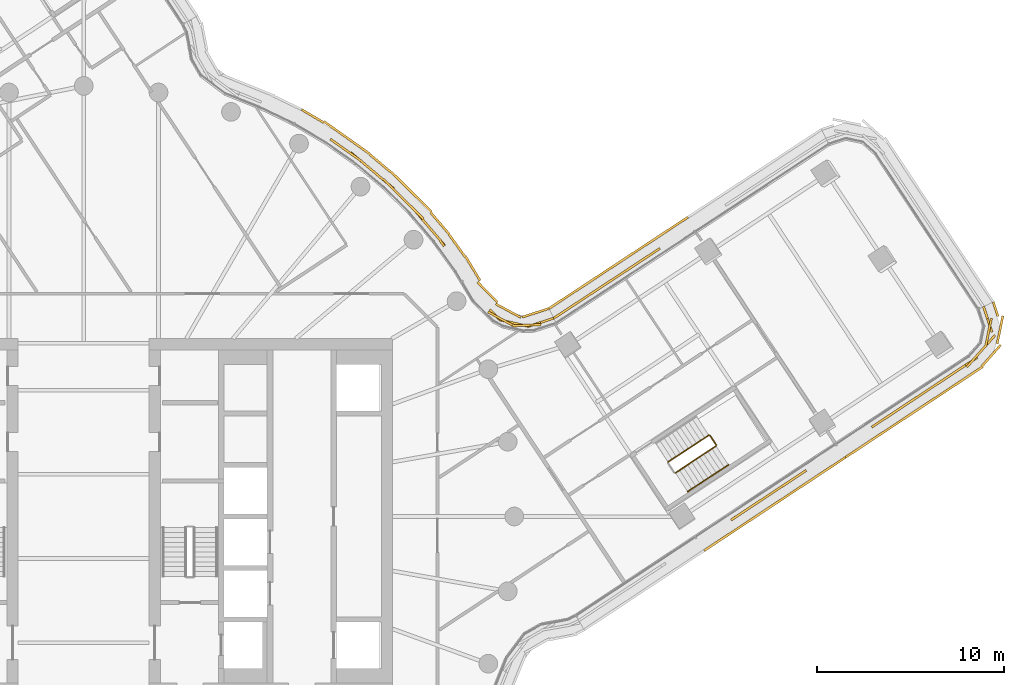
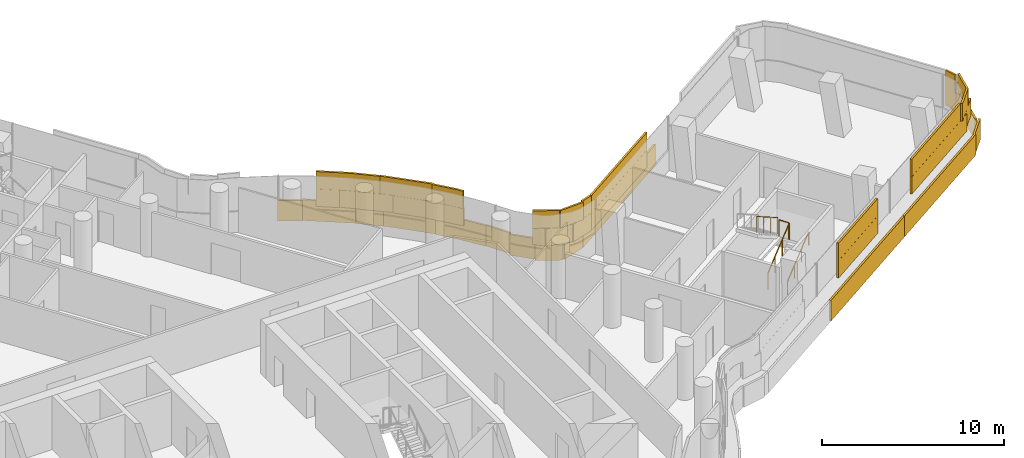
# One storey, part 33 of 35: 4 coverings, 4 railings.
"""IFC4 building model written with IfcOpenShell, lengths in metres."""

from ifc_helpers import new_model, si_unit, direction, frame, origin, origin_2d, place, context, subcontext, project, spatial, rectangle, circle, extrude, material, layer, layer_set, type_object, element, save


model = new_model("IFC4")

# Units and contexts
model_context = context("Model", 3, precision=1e-05, world=origin(), true_north=direction((0.0, 1.0)))
body_context = subcontext(model_context, "Body", "Model", "MODEL_VIEW")
ifc_project = project(units=[si_unit("LENGTHUNIT", "METRE"), si_unit("AREAUNIT", "SQUARE_METRE"), si_unit("VOLUMEUNIT", "CUBIC_METRE"), si_unit("PLANEANGLEUNIT", "RADIAN"), si_unit("MASSUNIT", "GRAM", prefix="KILO")], contexts=[model_context])

# Site, building, storey
site_placement = place(None, origin())
site = spatial("IfcSite", under=ifc_project, at=site_placement, CompositionType="ELEMENT")
building_placement = place(site_placement, origin())
building = spatial("IfcBuilding", under=site, at=building_placement, Name="Tamarind Cross Interchange Tower", CompositionType="ELEMENT")
storey_placement = place(building_placement, frame((0.0, 0.0, 155.5)))
storey = spatial("IfcBuildingStorey", under=building, at=storey_placement, Name="L38", CompositionType="ELEMENT", Elevation=155.5)

# Railings
ifc_material_1 = material(Name="Stair guard")
railing_type_1 = type_object("IfcRailingType", Name="Stair guard", PredefinedType="GUARDRAIL", material=ifc_material_1)
railing_1_placement = place(storey_placement, frame((31.60693359375, 2.328369140625, 0.17041015625)))
element("IfcRailing", 1, at=railing_1_placement, inside=storey, type_object=railing_type_1, Name="L38 ST3 stair guard 1", PredefinedType="GUARDRAIL", context=body_context, shape_type="SweptSolid", body=[
    extrude(circle(Radius=0.02392578125, at=origin_2d()), frame((0.0, 0.0, 1.076171875), z_axis=(0.697883001137, 0.460805384345, 0.548286161127), x_axis=(-0.551010951967, 0.834498011269, 0.0)), (0.0, 0.0, 1.0), 3.10888671875),
    extrude(circle(Radius=0.02099609375, at=origin_2d()), origin(), (0.0, 0.0, 1.0), 1.052001953125),
    extrude(circle(Radius=0.02099609375, at=origin_2d()), frame((0.72314453125, 0.4775390625, 0.568115234375)), (0.0, 0.0, 1.0), 1.052001953125),
    extrude(circle(Radius=0.02099609375, at=origin_2d()), frame((1.446533203125, 0.955078125, 1.136474609375)), (0.0, 0.0, 1.0), 1.052001953125),
    extrude(circle(Radius=0.02099609375, at=origin_2d()), frame((2.169677734375, 1.4326171875, 1.70458984375)), (0.0, 0.0, 1.0), 1.052001953125),
])
railing_2_placement = place(storey_placement, frame((33.790771484375, 3.830078125, 1.875)))
element("IfcRailing", 2, at=railing_2_placement, inside=storey, type_object=railing_type_1, Name="L38 ST3 stair guard 2", PredefinedType="GUARDRAIL", context=body_context, shape_type="SweptSolid", body=[
    extrude(circle(Radius=0.02392578125, at=origin_2d()), frame((0.0, 0.0, 1.076171875), z_axis=(-0.550938572023, 0.834545798538, 0.0), x_axis=(-0.834545798538, -0.550938572023, 0.0)), (0.0, 0.0, 1.0), 0.60009765625),
    extrude(circle(Radius=0.02099609375, at=origin_2d()), origin(), (0.0, 0.0, 1.0), 1.052001953125),
    extrude(circle(Radius=0.02099609375, at=origin_2d()), frame((-0.33056640625, 0.500732421875, 0.0)), (0.0, 0.0, 1.0), 1.052001953125),
])
railing_3_placement = place(storey_placement, frame((33.390869140625, 4.344970703125, 2.04541015625)))
element("IfcRailing", 3, at=railing_3_placement, inside=storey, type_object=railing_type_1, Name="L38 ST3 stair guard 3", PredefinedType="GUARDRAIL", context=body_context, shape_type="SweptSolid", body=[
    extrude(circle(Radius=0.02392578125, at=origin_2d()), frame((0.0, 0.0, 1.076171875), z_axis=(-0.697908254206, -0.460743527335, 0.548306000998), x_axis=(0.550945555476, -0.834541188259, 0.0)), (0.0, 0.0, 1.0), 3.10888671875),
    extrude(circle(Radius=0.02099609375, at=origin_2d()), origin(), (0.0, 0.0, 1.0), 1.052001953125),
    extrude(circle(Radius=0.02099609375, at=origin_2d()), frame((-0.72314453125, -0.4775390625, 0.568115234375)), (0.0, 0.0, 1.0), 1.052001953125),
    extrude(circle(Radius=0.02099609375, at=origin_2d()), frame((-1.446533203125, -0.954833984375, 1.136474609375)), (0.0, 0.0, 1.0), 1.052001953125),
    extrude(circle(Radius=0.02099609375, at=origin_2d()), frame((-2.169677734375, -1.432373046875, 1.70458984375)), (0.0, 0.0, 1.0), 1.052001953125),
])
ifc_material_2 = material(Name="Stair handrail")
railing_type_2 = type_object("IfcRailingType", Name="Stair handrail", PredefinedType="HANDRAIL", material=ifc_material_2)
railing_4_placement = place(storey_placement, frame((32.26806640625, 1.326904296875, 0.17041015625)))
element("IfcRailing", 4, at=railing_4_placement, inside=storey, type_object=railing_type_2, Name="L38 ST3 stair handrail 1", PredefinedType="HANDRAIL", context=body_context, shape_type="SweptSolid", body=[
    extrude(circle(Radius=0.02392578125, at=origin_2d()), frame((0.0, 0.0, 0.8759765625), z_axis=(0.697883001137, 0.460805384345, 0.548286161127), x_axis=(-0.551010951967, 0.834498011269, 0.0)), (0.0, 0.0, 1.0), 3.10888671875),
    extrude(circle(Radius=0.02099609375, at=origin_2d()), origin(), (0.0, 0.0, 1.0), 0.851806640625),
    extrude(circle(Radius=0.02099609375, at=origin_2d()), frame((0.72314453125, 0.4775390625, 0.568115234375)), (0.0, 0.0, 1.0), 0.851806640625),
    extrude(circle(Radius=0.02099609375, at=origin_2d()), frame((1.446533203125, 0.955078125, 1.136474609375)), (0.0, 0.0, 1.0), 0.851806640625),
    extrude(circle(Radius=0.02099609375, at=origin_2d()), frame((2.169677734375, 1.4326171875, 1.70458984375)), (0.0, 0.0, 1.0), 0.851806640625),
])

# Coverings
ifc_material_3 = material(Name="Terracotta", Category="masonry")
ifc_layer = layer(ifc_material_3, 0.1201171875)
ifc_layer_set = layer_set([ifc_layer], Name="Terracotta")
covering_type = type_object("IfcCoveringType", Name="Terracotta baguette screen unit", PredefinedType="MOLDING", material=ifc_layer_set)
covering_1_placement = place(storey_placement, origin())
element("IfcCovering", 5, at=covering_1_placement, inside=storey, type_object=covering_type, Name="SCR-L38-11-01", PredefinedType="MOLDING", context=body_context, shape_type="SweptSolid", body=[
    extrude(rectangle(XDim=0.762939453125, YDim=0.1201171875, at=origin_2d()), frame((34.899169921875, 0.0205078125, 1.404052734375), z_axis=(0.0, 0.0, 1.0), x_axis=(0.834524900963, 0.550970225759, 0.0)), (0.0, 0.0, 1.0), 1.1669921875),
    extrude(rectangle(XDim=1.52001953125, YDim=0.1201171875, at=origin_2d()), frame((35.839111328125, 0.64111328125, 1.404052734375), z_axis=(0.0, 0.0, 1.0), x_axis=(0.834524900963, 0.550970225759, 0.0)), (0.0, 0.0, 1.0), 1.1669921875),
    extrude(rectangle(XDim=1.52001953125, YDim=0.1201171875, at=origin_2d()), frame((37.091064453125, 1.467529296875, 1.404052734375), z_axis=(0.0, 0.0, 1.0), x_axis=(0.834524900963, 0.550970225759, 0.0)), (0.0, 0.0, 1.0), 1.1669921875),
    extrude(rectangle(XDim=1.0634765625, YDim=0.1201171875, at=origin_2d()), frame((38.156494140625, 2.1708984375, 1.404052734375), z_axis=(0.0, 0.0, 1.0), x_axis=(0.834524900963, 0.550970225759, 0.0)), (0.0, 0.0, 1.0), 1.1669921875),
    extrude(rectangle(XDim=1.52001953125, YDim=0.1201171875, at=origin_2d()), frame((35.21337890625, 0.227783203125, 2.5791015625), z_axis=(0.0, 0.0, 1.0), x_axis=(0.834524900963, 0.550970225759, 0.0)), (0.0, 0.0, 1.0), 1.1669921875),
    extrude(rectangle(XDim=1.52001953125, YDim=0.1201171875, at=origin_2d()), frame((36.465087890625, 1.05419921875, 2.5791015625), z_axis=(0.0, 0.0, 1.0), x_axis=(0.834524900963, 0.550970225759, 0.0)), (0.0, 0.0, 1.0), 1.1669921875),
    extrude(rectangle(XDim=1.52001953125, YDim=0.1201171875, at=origin_2d()), frame((37.716796875, 1.880859375, 2.5791015625), z_axis=(0.0, 0.0, 1.0), x_axis=(0.834524900963, 0.550970225759, 0.0)), (0.0, 0.0, 1.0), 1.1669921875),
    extrude(rectangle(XDim=0.3134765625, YDim=0.1201171875, at=origin_2d()), frame((38.469482421875, 2.377685546875, 2.5791015625), z_axis=(0.0, 0.0, 1.0), x_axis=(0.834524900963, 0.550970225759, 0.0)), (0.0, 0.0, 1.0), 1.1669921875),
    extrude(rectangle(XDim=1.32861328125, YDim=0.1201171875, at=origin_2d()), frame((33.700439453125, -1.458740234375, 0.00390625), z_axis=(0.0, 0.0, 1.0), x_axis=(0.834524900963, 0.550970225759, 0.0)), (0.0, 0.0, 1.0), 1.39208984375),
    extrude(rectangle(XDim=1.52001953125, YDim=0.1201171875, at=origin_2d()), frame((34.872314453125, -0.68505859375, 0.00390625), z_axis=(0.0, 0.0, 1.0), x_axis=(0.834524900963, 0.550970225759, 0.0)), (0.0, 0.0, 1.0), 1.39208984375),
    extrude(rectangle(XDim=1.52001953125, YDim=0.1201171875, at=origin_2d()), frame((36.1240234375, 0.141357421875, 0.00390625), z_axis=(0.0, 0.0, 1.0), x_axis=(0.834524900963, 0.550970225759, 0.0)), (0.0, 0.0, 1.0), 1.39208984375),
    extrude(rectangle(XDim=1.52001953125, YDim=0.1201171875, at=origin_2d()), frame((37.375732421875, 0.9677734375, 0.00390625), z_axis=(0.0, 0.0, 1.0), x_axis=(0.834524900963, 0.550970225759, 0.0)), (0.0, 0.0, 1.0), 1.39208984375),
    extrude(rectangle(XDim=1.52001953125, YDim=0.1201171875, at=origin_2d()), frame((38.627685546875, 1.794189453125, 0.00390625), z_axis=(0.0, 0.0, 1.0), x_axis=(0.834524900963, 0.550970225759, 0.0)), (0.0, 0.0, 1.0), 1.39208984375),
    extrude(rectangle(XDim=1.52001953125, YDim=0.1201171875, at=origin_2d()), frame((39.87939453125, 2.62060546875, 0.00390625), z_axis=(0.0, 0.0, 1.0), x_axis=(0.834524900963, 0.550970225759, 0.0)), (0.0, 0.0, 1.0), 1.39208984375),
    extrude(rectangle(XDim=0.23828125, YDim=0.1201171875, at=origin_2d()), frame((40.596435546875, 3.093994140625, 0.00390625), z_axis=(0.0, 0.0, 1.0), x_axis=(0.834524900963, 0.550970225759, 0.0)), (0.0, 0.0, 1.0), 1.39208984375),
])
covering_2_placement = place(storey_placement, origin())
element("IfcCovering", 6, at=covering_2_placement, inside=storey, type_object=covering_type, Name="SCR-L38-11-02", PredefinedType="MOLDING", context=body_context, shape_type="SweptSolid", body=[
    extrude(rectangle(XDim=0.756591796875, YDim=0.1201171875, at=origin_2d()), frame((42.41259765625, 4.98095703125, 1.404052734375), z_axis=(0.0, 0.0, 1.0), x_axis=(0.834524900963, 0.550970225759, 0.0)), (0.0, 0.0, 1.0), 1.1669921875),
    extrude(rectangle(XDim=1.52001953125, YDim=0.1201171875, at=origin_2d()), frame((43.349853515625, 5.599853515625, 1.404052734375), z_axis=(0.0, 0.0, 1.0), x_axis=(0.834524900963, 0.550970225759, 0.0)), (0.0, 0.0, 1.0), 1.1669921875),
    extrude(rectangle(XDim=1.52001953125, YDim=0.1201171875, at=origin_2d()), frame((44.601806640625, 6.42626953125, 1.404052734375), z_axis=(0.0, 0.0, 1.0), x_axis=(0.834524900963, 0.550970225759, 0.0)), (0.0, 0.0, 1.0), 1.1669921875),
    extrude(rectangle(XDim=1.52001953125, YDim=0.1201171875, at=origin_2d()), frame((45.853515625, 7.252685546875, 1.404052734375), z_axis=(0.0, 0.0, 1.0), x_axis=(0.834524900963, 0.550970225759, 0.0)), (0.0, 0.0, 1.0), 1.1669921875),
    extrude(rectangle(XDim=1.52001953125, YDim=0.1201171875, at=origin_2d()), frame((47.105224609375, 8.0791015625, 1.404052734375), z_axis=(0.0, 0.0, 1.0), x_axis=(0.834524900963, 0.550970225759, 0.0)), (0.0, 0.0, 1.0), 1.1669921875),
    extrude(rectangle(XDim=1.52001953125, YDim=0.1201171875, at=origin_2d()), frame((48.17724609375, 9.11279296875, 1.404052734375), z_axis=(0.0, 0.0, 1.0), x_axis=(0.663487566811, 0.748187308558, 0.0)), (0.0, 0.0, 1.0), 1.1669921875),
    extrude(rectangle(XDim=1.435302734375, YDim=0.1201171875, at=origin_2d()), frame((48.294677734375, 10.52978515625, 1.404052734375), z_axis=(0.0, 0.0, 1.0), x_axis=(-0.316205432595, 0.948690742232, 0.0)), (0.0, 0.0, 1.0), 1.1669921875),
    extrude(rectangle(XDim=1.506591796875, YDim=0.1201171875, at=origin_2d()), frame((42.7255859375, 5.1875, 2.5791015625), z_axis=(0.0, 0.0, 1.0), x_axis=(0.834524900963, 0.550970225759, 0.0)), (0.0, 0.0, 1.0), 1.1669921875),
    extrude(rectangle(XDim=1.52001953125, YDim=0.1201171875, at=origin_2d()), frame((43.975830078125, 6.012939453125, 2.5791015625), z_axis=(0.0, 0.0, 1.0), x_axis=(0.834524900963, 0.550970225759, 0.0)), (0.0, 0.0, 1.0), 1.1669921875),
    extrude(rectangle(XDim=1.52001953125, YDim=0.1201171875, at=origin_2d()), frame((45.2275390625, 6.839599609375, 2.5791015625), z_axis=(0.0, 0.0, 1.0), x_axis=(0.834524900963, 0.550970225759, 0.0)), (0.0, 0.0, 1.0), 1.1669921875),
    extrude(rectangle(XDim=1.52001953125, YDim=0.1201171875, at=origin_2d()), frame((46.4794921875, 7.666015625, 2.5791015625), z_axis=(0.0, 0.0, 1.0), x_axis=(0.834524900963, 0.550970225759, 0.0)), (0.0, 0.0, 1.0), 1.1669921875),
    extrude(rectangle(XDim=1.52001953125, YDim=0.1201171875, at=origin_2d()), frame((47.6796875, 8.5517578125, 2.5791015625), z_axis=(0.0, 0.0, 1.0), x_axis=(0.663487566811, 0.748187308558, 0.0)), (0.0, 0.0, 1.0), 1.1669921875),
    extrude(rectangle(XDim=1.52001953125, YDim=0.1201171875, at=origin_2d()), frame((48.337158203125, 9.8427734375, 2.5791015625), z_axis=(0.0, 0.0, 1.0), x_axis=(0.200503433674, 0.979692999406, 0.0)), (0.0, 0.0, 1.0), 1.1669921875),
    extrude(rectangle(XDim=0.685302734375, YDim=0.1201171875, at=origin_2d()), frame((48.17626953125, 10.8857421875, 2.5791015625), z_axis=(0.0, 0.0, 1.0), x_axis=(-0.316205432595, 0.948690742232, 0.0)), (0.0, 0.0, 1.0), 1.1669921875),
    extrude(rectangle(XDim=1.28173828125, YDim=0.1201171875, at=origin_2d()), frame((41.230712890625, 3.5126953125, 0.00390625), z_axis=(0.0, 0.0, 1.0), x_axis=(0.834524900963, 0.550970225759, 0.0)), (0.0, 0.0, 1.0), 1.39208984375),
    extrude(rectangle(XDim=1.52001953125, YDim=0.1201171875, at=origin_2d()), frame((42.383056640625, 4.273681640625, 0.00390625), z_axis=(0.0, 0.0, 1.0), x_axis=(0.834524900963, 0.550970225759, 0.0)), (0.0, 0.0, 1.0), 1.39208984375),
    extrude(rectangle(XDim=1.52001953125, YDim=0.1201171875, at=origin_2d()), frame((43.634765625, 5.10009765625, 0.00390625), z_axis=(0.0, 0.0, 1.0), x_axis=(0.834524900963, 0.550970225759, 0.0)), (0.0, 0.0, 1.0), 1.39208984375),
    extrude(rectangle(XDim=1.52001953125, YDim=0.1201171875, at=origin_2d()), frame((44.886474609375, 5.926513671875, 0.00390625), z_axis=(0.0, 0.0, 1.0), x_axis=(0.834524900963, 0.550970225759, 0.0)), (0.0, 0.0, 1.0), 1.39208984375),
    extrude(rectangle(XDim=1.52001953125, YDim=0.1201171875, at=origin_2d()), frame((46.138427734375, 6.7529296875, 0.00390625), z_axis=(0.0, 0.0, 1.0), x_axis=(0.834524900963, 0.550970225759, 0.0)), (0.0, 0.0, 1.0), 1.39208984375),
    extrude(rectangle(XDim=1.52001953125, YDim=0.1201171875, at=origin_2d()), frame((47.39013671875, 7.579345703125, 0.00390625), z_axis=(0.0, 0.0, 1.0), x_axis=(0.834524900963, 0.550970225759, 0.0)), (0.0, 0.0, 1.0), 1.39208984375),
    extrude(rectangle(XDim=1.52001953125, YDim=0.1201171875, at=origin_2d()), frame((48.481689453125, 8.5908203125, 0.00390625), z_axis=(0.0, 0.0, 1.0), x_axis=(0.663487566811, 0.748187308558, 0.0)), (0.0, 0.0, 1.0), 1.39208984375),
    extrude(rectangle(XDim=1.52001953125, YDim=0.1201171875, at=origin_2d()), frame((48.950439453125, 9.976318359375, 0.00390625), z_axis=(0.0, 0.0, 1.0), x_axis=(0.200503433674, 0.979692999406, 0.0)), (0.0, 0.0, 1.0), 1.39208984375),
    extrude(rectangle(XDim=0.814697265625, YDim=0.1201171875, at=origin_2d()), frame((48.718994140625, 11.07275390625, 0.00390625), z_axis=(0.0, 0.0, 1.0), x_axis=(-0.316205432595, 0.948690742232, 0.0)), (0.0, 0.0, 1.0), 1.39208984375),
])
covering_3_placement = place(storey_placement, origin())
element("IfcCovering", 7, at=covering_3_placement, inside=storey, type_object=covering_type, Name="SCR-L38-13-01", PredefinedType="MOLDING", context=body_context, shape_type="SweptSolid", body=[
    extrude(rectangle(XDim=1.370361328125, YDim=0.1201171875, at=origin_2d()), frame((30.2080078125, 13.94287109375, 1.404052734375), z_axis=(0.0, 0.0, 1.0), x_axis=(-0.835659570214, -0.549247742562, 0.0)), (0.0, 0.0, 1.0), 1.1669921875),
    extrude(rectangle(XDim=1.52001953125, YDim=0.1201171875, at=origin_2d()), frame((29.012939453125, 13.157470703125, 1.404052734375), z_axis=(0.0, 0.0, 1.0), x_axis=(-0.835659570214, -0.549247742562, 0.0)), (0.0, 0.0, 1.0), 1.1669921875),
    extrude(rectangle(XDim=1.52001953125, YDim=0.1201171875, at=origin_2d()), frame((27.75927734375, 12.33349609375, 1.404052734375), z_axis=(0.0, 0.0, 1.0), x_axis=(-0.835659570214, -0.549247742562, 0.0)), (0.0, 0.0, 1.0), 1.1669921875),
    extrude(rectangle(XDim=1.52001953125, YDim=0.1201171875, at=origin_2d()), frame((26.505859375, 11.509521484375, 1.404052734375), z_axis=(0.0, 0.0, 1.0), x_axis=(-0.835659570214, -0.549247742562, 0.0)), (0.0, 0.0, 1.0), 1.1669921875),
    extrude(rectangle(XDim=0.9287109375, YDim=0.1201171875, at=origin_2d()), frame((25.4951171875, 10.845458984375, 1.404052734375), z_axis=(0.0, 0.0, 1.0), x_axis=(-0.835659570214, -0.549247742562, 0.0)), (0.0, 0.0, 1.0), 1.1669921875),
    extrude(rectangle(XDim=0.620361328125, YDim=0.1201171875, at=origin_2d()), frame((30.521484375, 14.14892578125, 2.5791015625), z_axis=(0.0, 0.0, 1.0), x_axis=(-0.835659570214, -0.549247742562, 0.0)), (0.0, 0.0, 1.0), 1.1669921875),
    extrude(rectangle(XDim=1.52001953125, YDim=0.1201171875, at=origin_2d()), frame((29.6396484375, 13.5693359375, 2.5791015625), z_axis=(0.0, 0.0, 1.0), x_axis=(-0.835659570214, -0.549247742562, 0.0)), (0.0, 0.0, 1.0), 1.1669921875),
    extrude(rectangle(XDim=1.52001953125, YDim=0.1201171875, at=origin_2d()), frame((28.385986328125, 12.745361328125, 2.5791015625), z_axis=(0.0, 0.0, 1.0), x_axis=(-0.835659570214, -0.549247742562, 0.0)), (0.0, 0.0, 1.0), 1.1669921875),
    extrude(rectangle(XDim=1.52001953125, YDim=0.1201171875, at=origin_2d()), frame((27.132568359375, 11.921630859375, 2.5791015625), z_axis=(0.0, 0.0, 1.0), x_axis=(-0.835659570214, -0.549247742562, 0.0)), (0.0, 0.0, 1.0), 1.1669921875),
    extrude(rectangle(XDim=1.52001953125, YDim=0.1201171875, at=origin_2d()), frame((25.879150390625, 11.09765625, 2.5791015625), z_axis=(0.0, 0.0, 1.0), x_axis=(-0.835659570214, -0.549247742562, 0.0)), (0.0, 0.0, 1.0), 1.1669921875),
    extrude(rectangle(XDim=0.1787109375, YDim=0.1201171875, at=origin_2d()), frame((25.181884765625, 10.639404296875, 2.5791015625), z_axis=(0.0, 0.0, 1.0), x_axis=(-0.835659570214, -0.549247742562, 0.0)), (0.0, 0.0, 1.0), 1.1669921875),
    extrude(rectangle(XDim=0.4716796875, YDim=0.1201171875, at=origin_2d()), frame((32.08251953125, 15.86181640625, 0.00390625), z_axis=(0.0, 0.0, 1.0), x_axis=(-0.835659570214, -0.549247742562, 0.0)), (0.0, 0.0, 1.0), 1.39208984375),
    extrude(rectangle(XDim=1.52001953125, YDim=0.1201171875, at=origin_2d()), frame((31.26708984375, 15.325927734375, 0.00390625), z_axis=(0.0, 0.0, 1.0), x_axis=(-0.835659570214, -0.549247742562, 0.0)), (0.0, 0.0, 1.0), 1.39208984375),
    extrude(rectangle(XDim=1.52001953125, YDim=0.1201171875, at=origin_2d()), frame((30.013671875, 14.501953125, 0.00390625), z_axis=(0.0, 0.0, 1.0), x_axis=(-0.835659570214, -0.549247742562, 0.0)), (0.0, 0.0, 1.0), 1.39208984375),
    extrude(rectangle(XDim=1.52001953125, YDim=0.1201171875, at=origin_2d()), frame((28.76025390625, 13.67822265625, 0.00390625), z_axis=(0.0, 0.0, 1.0), x_axis=(-0.835659570214, -0.549247742562, 0.0)), (0.0, 0.0, 1.0), 1.39208984375),
    extrude(rectangle(XDim=1.52001953125, YDim=0.1201171875, at=origin_2d()), frame((27.5068359375, 12.854248046875, 0.00390625), z_axis=(0.0, 0.0, 1.0), x_axis=(-0.835659570214, -0.549247742562, 0.0)), (0.0, 0.0, 1.0), 1.39208984375),
    extrude(rectangle(XDim=1.52001953125, YDim=0.1201171875, at=origin_2d()), frame((26.253173828125, 12.030517578125, 0.00390625), z_axis=(0.0, 0.0, 1.0), x_axis=(-0.835659570214, -0.549247742562, 0.0)), (0.0, 0.0, 1.0), 1.39208984375),
    extrude(rectangle(XDim=0.926513671875, YDim=0.1201171875, at=origin_2d()), frame((25.247802734375, 11.36962890625, 0.00390625), z_axis=(0.0, 0.0, 1.0), x_axis=(-0.835659570214, -0.549247742562, 0.0)), (0.0, 0.0, 1.0), 1.39208984375),
])
covering_4_placement = place(storey_placement, origin())
element("IfcCovering", 8, at=covering_4_placement, inside=storey, type_object=covering_type, Name="SCR-L38-14-00", PredefinedType="MOLDING", context=body_context, shape_type="SweptSolid", body=[
    extrude(rectangle(XDim=1.510009765625, YDim=0.1201171875, at=origin_2d()), frame((24.39794921875, 10.361328125, 1.404052734375), z_axis=(0.0, 0.0, 1.0), x_axis=(-0.951094735667, -0.308899342484, 0.0)), (0.0, 0.0, 1.0), 1.1669921875),
    extrude(rectangle(XDim=1.52001953125, YDim=0.1201171875, at=origin_2d()), frame((22.93359375, 10.3408203125, 1.404052734375), z_axis=(0.0, 0.0, 1.0), x_axis=(-0.974806127154, 0.22305383759, 0.0)), (0.0, 0.0, 1.0), 1.1669921875),
    extrude(rectangle(XDim=0.72705078125, YDim=0.1201171875, at=origin_2d()), frame((21.944580078125, 10.79345703125, 1.404052734375), z_axis=(0.0, 0.0, 1.0), x_axis=(-0.704844247219, 0.709362098763, 0.0)), (0.0, 0.0, 1.0), 1.1669921875),
    extrude(rectangle(XDim=1.093017578125, YDim=0.1201171875, at=origin_2d()), frame((18.93603515625, 14.88427734375, 1.404052734375), z_axis=(0.0, 0.0, 1.0), x_axis=(-0.64957723968, 0.760295606781, 0.0)), (0.0, 0.0, 1.0), 1.1669921875),
    extrude(rectangle(XDim=1.52001953125, YDim=0.1201171875, at=origin_2d()), frame((18.096923828125, 15.8662109375, 1.404052734375), z_axis=(0.0, 0.0, 1.0), x_axis=(-0.64957723968, 0.760295606781, 0.0)), (0.0, 0.0, 1.0), 1.1669921875),
    extrude(rectangle(XDim=1.52001953125, YDim=0.1201171875, at=origin_2d()), frame((17.073486328125, 16.9609375, 1.404052734375), z_axis=(0.0, 0.0, 1.0), x_axis=(-0.710143317658, 0.704057148523, 0.0)), (0.0, 0.0, 1.0), 1.1669921875),
    extrude(rectangle(XDim=1.52001953125, YDim=0.1201171875, at=origin_2d()), frame((15.990234375, 17.99755859375, 1.404052734375), z_axis=(0.0, 0.0, 1.0), x_axis=(-0.765858396687, 0.643009266048, 0.0)), (0.0, 0.0, 1.0), 1.1669921875),
    extrude(rectangle(XDim=1.52001953125, YDim=0.1201171875, at=origin_2d()), frame((14.841552734375, 18.9619140625, 1.404052734375), z_axis=(0.0, 0.0, 1.0), x_axis=(-0.765858396687, 0.643009266048, 0.0)), (0.0, 0.0, 1.0), 1.1669921875),
    extrude(rectangle(XDim=1.308837890625, YDim=0.1201171875, at=origin_2d()), frame((13.70751953125, 19.78125, 1.404052734375), z_axis=(0.0, 0.0, 1.0), x_axis=(-0.816341886298, 0.577568978284, 0.0)), (0.0, 0.0, 1.0), 1.1669921875),
    extrude(rectangle(XDim=0.760009765625, YDim=0.1201171875, at=origin_2d()), frame((24.754638671875, 10.477294921875, 2.5791015625), z_axis=(0.0, 0.0, 1.0), x_axis=(-0.951094735667, -0.308899342484, 0.0)), (0.0, 0.0, 1.0), 1.1669921875),
    extrude(rectangle(XDim=1.52001953125, YDim=0.1201171875, at=origin_2d()), frame((23.668701171875, 10.2177734375, 2.5791015625), z_axis=(0.0, 0.0, 1.0), x_axis=(-0.999008047916, -0.044529992122, 0.0)), (0.0, 0.0, 1.0), 1.1669921875),
    extrude(rectangle(XDim=1.47705078125, YDim=0.1201171875, at=origin_2d()), frame((22.245849609375, 10.57666015625, 2.5791015625), z_axis=(0.0, 0.0, 1.0), x_axis=(-0.880236033539, 0.474536115864, 0.0)), (0.0, 0.0, 1.0), 1.1669921875),
    extrude(rectangle(XDim=0.343017578125, YDim=0.1201171875, at=origin_2d()), frame((19.156005859375, 14.580810546875, 2.5791015625), z_axis=(0.0, 0.0, 1.0), x_axis=(-0.584573890505, 0.811340475102, 0.0)), (0.0, 0.0, 1.0), 1.1669921875),
    extrude(rectangle(XDim=1.52001953125, YDim=0.1201171875, at=origin_2d()), frame((18.584228515625, 15.296142578125, 2.5791015625), z_axis=(0.0, 0.0, 1.0), x_axis=(-0.64957723968, 0.760295606781, 0.0)), (0.0, 0.0, 1.0), 1.1669921875),
    extrude(rectangle(XDim=1.52001953125, YDim=0.1201171875, at=origin_2d()), frame((17.60595703125, 16.43310546875, 2.5791015625), z_axis=(0.0, 0.0, 1.0), x_axis=(-0.710143317658, 0.704057148523, 0.0)), (0.0, 0.0, 1.0), 1.1669921875),
    extrude(rectangle(XDim=1.52001953125, YDim=0.1201171875, at=origin_2d()), frame((16.540771484375, 17.489013671875, 2.5791015625), z_axis=(0.0, 0.0, 1.0), x_axis=(-0.710143317658, 0.704057148523, 0.0)), (0.0, 0.0, 1.0), 1.1669921875),
    extrude(rectangle(XDim=1.52001953125, YDim=0.1201171875, at=origin_2d()), frame((15.416015625, 18.479736328125, 2.5791015625), z_axis=(0.0, 0.0, 1.0), x_axis=(-0.765858396687, 0.643009266048, 0.0)), (0.0, 0.0, 1.0), 1.1669921875),
    extrude(rectangle(XDim=1.52001953125, YDim=0.1201171875, at=origin_2d()), frame((14.23779296875, 19.40625, 2.5791015625), z_axis=(0.0, 0.0, 1.0), x_axis=(-0.816341886298, 0.577568978284, 0.0)), (0.0, 0.0, 1.0), 1.1669921875),
    extrude(rectangle(XDim=0.558837890625, YDim=0.1201171875, at=origin_2d()), frame((13.4013671875, 19.998046875, 2.5791015625), z_axis=(0.0, 0.0, 1.0), x_axis=(-0.816341886298, 0.577568978284, 0.0)), (0.0, 0.0, 1.0), 1.1669921875),
    extrude(rectangle(XDim=1.510009765625, YDim=0.1201171875, at=origin_2d()), frame((24.142578125, 10.8818359375, 0.00390625), z_axis=(0.0, 0.0, 1.0), x_axis=(-0.951094735667, -0.308899342484, 0.0)), (0.0, 0.0, 1.0), 1.39208984375),
    extrude(rectangle(XDim=1.52001953125, YDim=0.1201171875, at=origin_2d()), frame((22.684814453125, 10.991943359375, 0.00390625), z_axis=(0.0, 0.0, 1.0), x_axis=(-0.880236033539, 0.474536115864, 0.0)), (0.0, 0.0, 1.0), 1.39208984375),
    extrude(rectangle(XDim=1.52001953125, YDim=0.1201171875, at=origin_2d()), frame((21.572509765625, 11.982421875, 0.00390625), z_axis=(0.0, 0.0, 1.0), x_axis=(-0.704844247219, 0.709362098763, 0.0)), (0.0, 0.0, 1.0), 1.39208984375),
    extrude(rectangle(XDim=1.52001953125, YDim=0.1201171875, at=origin_2d()), frame((20.78125, 13.253662109375, 0.00390625), z_axis=(0.0, 0.0, 1.0), x_axis=(-0.5158697456, 0.856667033085, 0.0)), (0.0, 0.0, 1.0), 1.39208984375),
    extrude(rectangle(XDim=1.52001953125, YDim=0.1201171875, at=origin_2d()), frame((19.930419921875, 14.48779296875, 0.00390625), z_axis=(0.0, 0.0, 1.0), x_axis=(-0.584573890505, 0.811340475102, 0.0)), (0.0, 0.0, 1.0), 1.39208984375),
    extrude(rectangle(XDim=1.52001953125, YDim=0.1201171875, at=origin_2d()), frame((19.015380859375, 15.675048828125, 0.00390625), z_axis=(0.0, 0.0, 1.0), x_axis=(-0.64957723968, 0.760295606781, 0.0)), (0.0, 0.0, 1.0), 1.39208984375),
    extrude(rectangle(XDim=1.52001953125, YDim=0.1201171875, at=origin_2d()), frame((18.038330078125, 16.812744140625, 0.00390625), z_axis=(0.0, 0.0, 1.0), x_axis=(-0.710143317658, 0.704057148523, 0.0)), (0.0, 0.0, 1.0), 1.39208984375),
    extrude(rectangle(XDim=1.52001953125, YDim=0.1201171875, at=origin_2d()), frame((16.97314453125, 17.868896484375, 0.00390625), z_axis=(0.0, 0.0, 1.0), x_axis=(-0.710143317658, 0.704057148523, 0.0)), (0.0, 0.0, 1.0), 1.39208984375),
    extrude(rectangle(XDim=1.52001953125, YDim=0.1201171875, at=origin_2d()), frame((15.8515625, 18.86328125, 0.00390625), z_axis=(0.0, 0.0, 1.0), x_axis=(-0.765858396687, 0.643009266048, 0.0)), (0.0, 0.0, 1.0), 1.39208984375),
    extrude(rectangle(XDim=1.52001953125, YDim=0.1201171875, at=origin_2d()), frame((14.67919921875, 19.797119140625, 0.00390625), z_axis=(0.0, 0.0, 1.0), x_axis=(-0.816341886298, 0.577568978284, 0.0)), (0.0, 0.0, 1.0), 1.39208984375),
    extrude(rectangle(XDim=1.52001953125, YDim=0.1201171875, at=origin_2d()), frame((13.45458984375, 20.66357421875, 0.00390625), z_axis=(0.0, 0.0, 1.0), x_axis=(-0.816341886298, 0.577568978284, 0.0)), (0.0, 0.0, 1.0), 1.39208984375),
    extrude(rectangle(XDim=1.36474609375, YDim=0.1201171875, at=origin_2d()), frame((12.232666015625, 21.39111328125, 0.00390625), z_axis=(0.0, 0.0, 1.0), x_axis=(-0.861248933065, 0.508183308752, 0.0)), (0.0, 0.0, 1.0), 1.39208984375),
])

save(model, "model.ifc")
